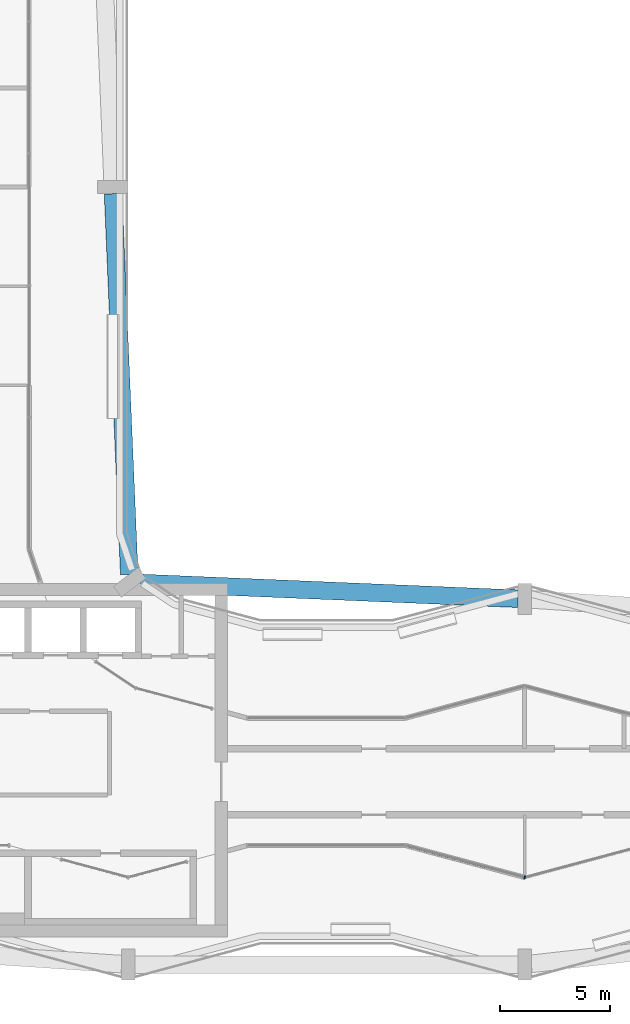
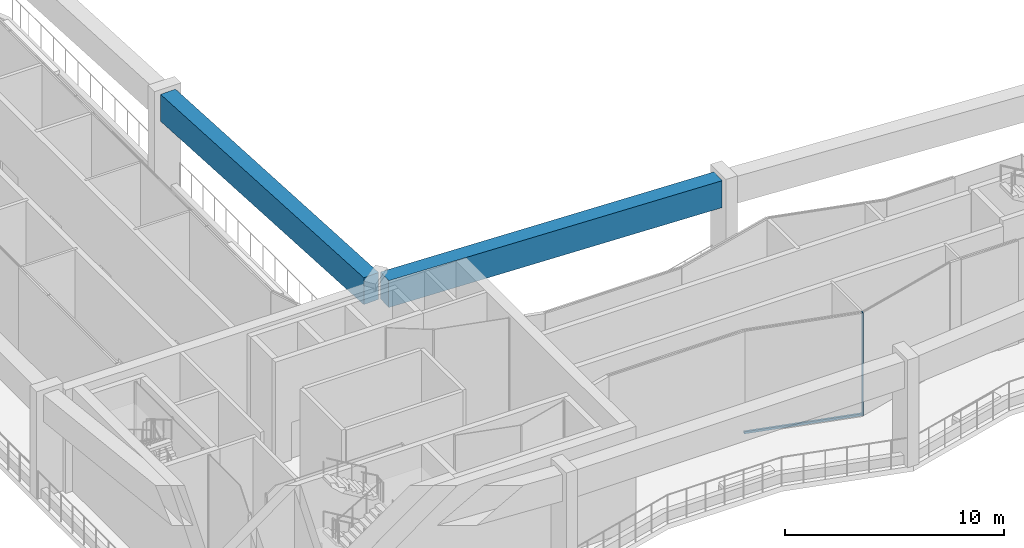
# One storey, part 5 of 17: 2 beams, 2 members, 1 element without a shape of its own.
"""IFC4 building model written with IfcOpenShell, lengths in metres."""

from ifc_helpers import new_model, si_unit, direction, frame, origin, origin_2d, place, context, subcontext, project, spatial, rectangle, extrude, material, layer, layer_set, material_profile, profile_set, type_object, element, aggregate, save


model = new_model("IFC4")

# Units and contexts
model_context = context("Model", 3, precision=1e-05, world=origin(), true_north=direction((0.0, 1.0)))
body_context = subcontext(model_context, "Body", "Model", "MODEL_VIEW")
ifc_project = project(units=[si_unit("LENGTHUNIT", "METRE"), si_unit("AREAUNIT", "SQUARE_METRE"), si_unit("VOLUMEUNIT", "CUBIC_METRE"), si_unit("PLANEANGLEUNIT", "RADIAN"), si_unit("MASSUNIT", "GRAM", prefix="KILO")], contexts=[model_context])

# Site, building, storey
site_placement = place(None, origin())
site = spatial("IfcSite", under=ifc_project, at=site_placement, CompositionType="ELEMENT")
building_placement = place(site_placement, origin())
building = spatial("IfcBuilding", under=site, at=building_placement, Name="Plateau Cross Towers", CompositionType="ELEMENT")
storey_placement = place(building_placement, frame((0.0, 0.0, 184.89990234375)))
storey = spatial("IfcBuildingStorey", under=building, at=storey_placement, Name="L48", CompositionType="ELEMENT", Elevation=184.89990234375)

# Beams
ifc_material_1 = material(Name="Concrete C60/75", Category="concrete")
ifc_material_profile_1 = material_profile(ifc_material_1, rectangle(XDim=0.800048828125, YDim=1.5, at=origin_2d()), Name="RC 800x1500")
ifc_profile_set_1 = profile_set([ifc_material_profile_1], Name="Concrete C60/75")
beam_type = type_object("IfcBeamType", Name="Belt beam RC 800x1500", PredefinedType="BEAM", material=ifc_profile_set_1)
beam_1_placement = place(storey_placement, frame((35.699951171875, 17.3125, 5.0), z_axis=(-0.999127746059, 0.041758197464, 0.0), x_axis=(-0.041758197464, -0.999127746059, 0.0)))
element("IfcBeam", 1, at=beam_1_placement, inside=storey, type_object=beam_type, Name="BELT-L48-05", PredefinedType="BEAM", context=body_context, shape_type="SweptSolid", body=[
    extrude(rectangle(XDim=0.800048828125, YDim=1.5, at=origin_2d()), origin(), (0.0, 0.0, 1.0), 17.182861328125),
])
beam_2_placement = place(storey_placement, frame((18.049072265625, 18.415771484375, 5.0), z_axis=(-0.042562671584, 0.999093798894, 0.0), x_axis=(-0.999093798894, -0.042562671584, 0.0)))
element("IfcBeam", 2, at=beam_2_placement, inside=storey, type_object=beam_type, Name="BELT-L48-06", PredefinedType="BEAM", context=body_context, shape_type="SweptSolid", body=[
    extrude(rectangle(XDim=0.800048828125, YDim=1.5, at=origin_2d()), origin(), (0.0, 0.0, 1.0), 17.2998046875),
])

# Curtain wall, members
ifc_material_2 = material(Name="Dark low-iron glass", Category="glass")
ifc_layer = layer(ifc_material_2, 0.239990234375)
ifc_layer_set = layer_set([ifc_layer], Name="Dark low-iron glass")
curtain_wall_type = type_object("IfcCurtainWallType", Name="Curtain wall flush unitised CW-B", PredefinedType="NOTDEFINED", material=ifc_layer_set)
curtain_wall_placement = place(storey_placement, origin())
curtain_wall = element("IfcCurtainWall", 3, at=curtain_wall_placement, inside=storey, type_object=curtain_wall_type, Name="ENV/A/L48/inner0_360_47", PredefinedType="NOTDEFINED")
ifc_material_3 = material(Name="Black anodised aluminium", Category="aluminium")
ifc_material_profile_2 = material_profile(ifc_material_3, rectangle(XDim=0.06005859375, YDim=0.139892578125, at=origin_2d()), Name="MULLION 60x140")
ifc_profile_set_2 = profile_set([ifc_material_profile_2], Name="Black anodised aluminium")
member_type_1 = type_object("IfcMemberType", Name="Mullion 60x140 flush unitised", PredefinedType="MULLION", material=ifc_profile_set_2)
member_1_placement = place(storey_placement, frame((36.0, 4.65869140625, 0.0), z_axis=(0.0, 0.0, 1.0), x_axis=(-0.965957983404, 0.258699003279, 0.0)))
member_1 = element("IfcMember", 4, at=member_1_placement, type_object=member_type_1, Name="CW-B mullion 1", PredefinedType="MULLION", context=body_context, shape_type="SweptSolid", body=[
    extrude(rectangle(XDim=0.06005859375, YDim=0.139892578125, at=origin_2d()), origin(), (0.0, 0.0, 1.0), 5.75),
])
ifc_material_profile_3 = material_profile(ifc_material_3, rectangle(XDim=0.10009765625, YDim=0.1201171875, at=origin_2d()), Name="TRANSOM 100x120")
ifc_profile_set_3 = profile_set([ifc_material_profile_3], Name="Black anodised aluminium")
member_type_2 = type_object("IfcMemberType", Name="Transom 100x120 flush unitised", PredefinedType="USERDEFINED", material=ifc_profile_set_3)
member_2_placement = place(storey_placement, frame((36.0, 4.65869140625, 0.06005859375), z_axis=(-0.965962257376, 0.25868304414, 0.0), x_axis=(-0.25868304414, -0.965962257376, 0.0)))
member_2 = element("IfcMember", 5, at=member_2_placement, type_object=member_type_2, Name="CW-B transom", ObjectType="TRANSOM", PredefinedType="USERDEFINED", context=body_context, shape_type="SweptSolid", body=[
    extrude(rectangle(XDim=0.10009765625, YDim=0.1201171875, at=origin_2d()), origin(), (0.0, 0.0, 1.0), 5.5986328125),
])
aggregate(curtain_wall, [member_1, member_2])

save(model, "model.ifc")
